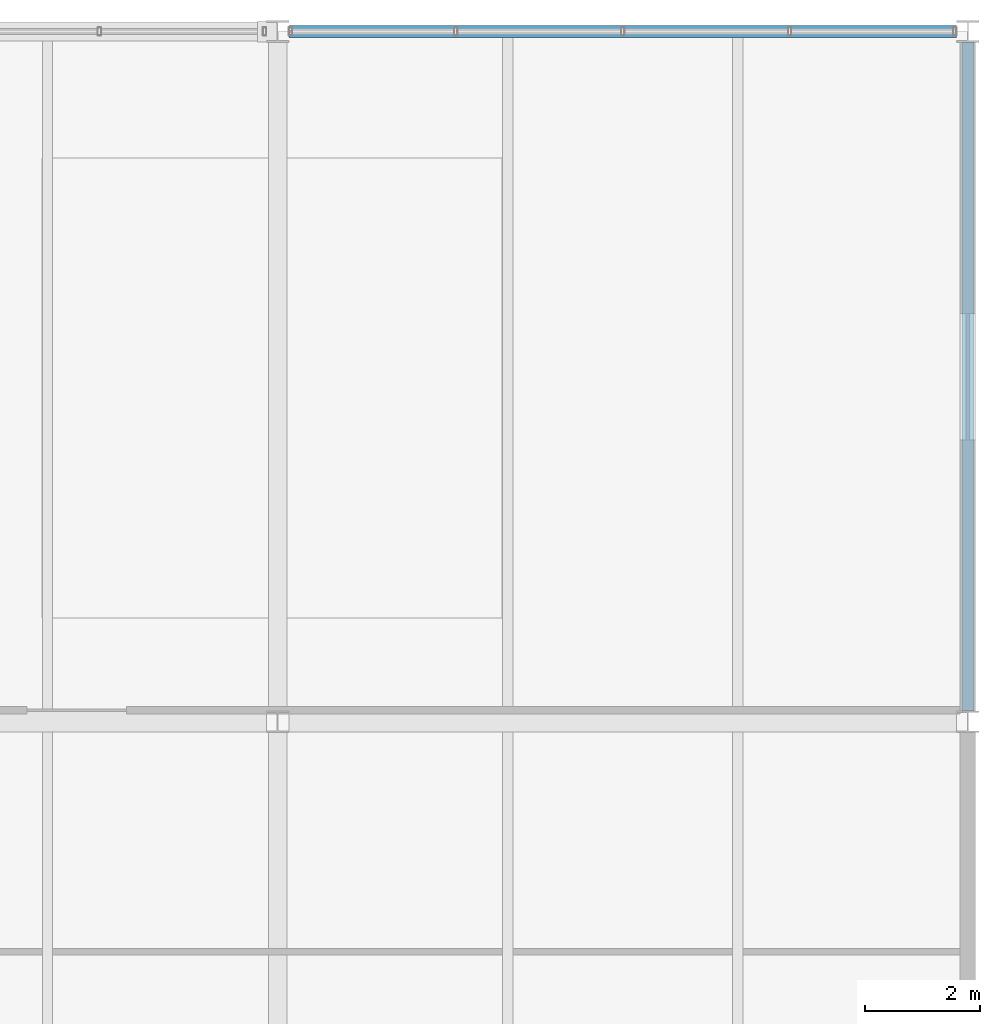
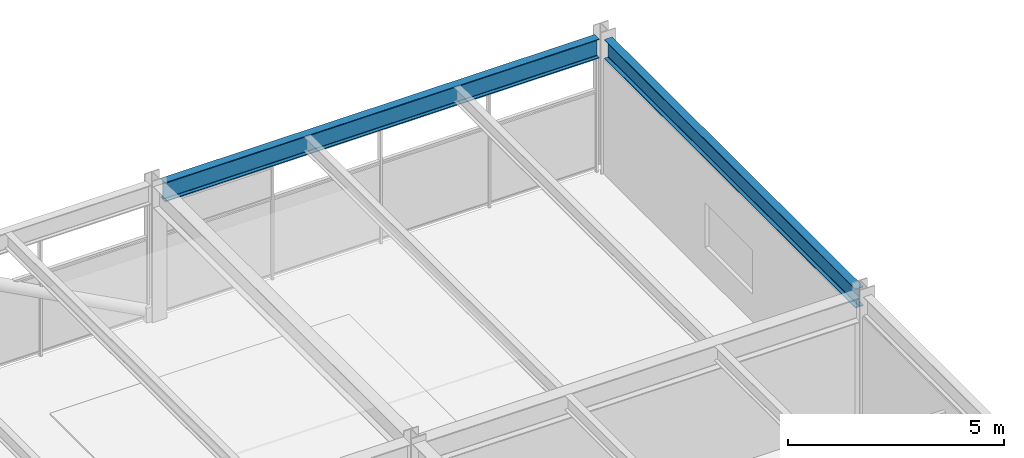
# One storey, part 41 of 52: 2 beams.
"""IFC4 building model written with IfcOpenShell, lengths in metres."""

from ifc_helpers import new_model, si_unit, direction, frame, origin, origin_2d, place, context, subcontext, project, spatial, i_section, extrude, material, material_profile, profile_set, type_object, element, save


model = new_model("IFC4")

# Units and contexts
model_context = context("Model", 3, precision=1e-05, world=origin(), true_north=direction((0.0, 1.0)))
body_context = subcontext(model_context, "Body", "Model", "MODEL_VIEW")
ifc_project = project(units=[si_unit("LENGTHUNIT", "METRE"), si_unit("AREAUNIT", "SQUARE_METRE"), si_unit("VOLUMEUNIT", "CUBIC_METRE"), si_unit("PLANEANGLEUNIT", "RADIAN"), si_unit("MASSUNIT", "GRAM", prefix="KILO")], contexts=[model_context])

# Site, building, storey
site_placement = place(None, origin())
site = spatial("IfcSite", under=ifc_project, at=site_placement, CompositionType="ELEMENT")
building_placement = place(site_placement, origin())
building = spatial("IfcBuilding", under=site, at=building_placement, Name="Girod Span Mobility Hub", CompositionType="ELEMENT")
storey_placement = place(building_placement, frame((0.0, 0.0, 45.60009765625)))
storey = spatial("IfcBuildingStorey", under=building, at=storey_placement, Name="L11", CompositionType="ELEMENT", Elevation=45.60009765625)

# Beams
ifc_material = material(Name="Steel A992 Grade 50", Category="steel")
ifc_material_profile = material_profile(ifc_material, i_section(OverallWidth=0.2119140625, OverallDepth=0.5439453125, WebThickness=0.01318359375, FlangeThickness=0.021240234375, FilletRadius=0.014892578125, at=origin_2d()), Name="W21X83")
ifc_profile_set = profile_set([ifc_material_profile], Name="Steel A992 Grade 50")
beam_type = type_object("IfcBeamType", Name="BM-STL-W21X83", PredefinedType="SPANDREL", material=ifc_profile_set)
beam_1_placement = place(storey_placement, frame((132.194091796875, 69.0, 3.5078125), z_axis=(1.0, 0.0, 0.0), x_axis=(0.0, 1.0, 0.0)))
element("IfcBeam", 1, at=beam_1_placement, inside=storey, type_object=beam_type, Name="Girder 12-13/F L11", PredefinedType="SPANDREL", context=body_context, shape_type="SweptSolid", body=[
    extrude(i_section(OverallWidth=0.2119140625, OverallDepth=0.5439453125, WebThickness=0.01318359375, FlangeThickness=0.021240234375, FilletRadius=0.014892578125, at=origin_2d()), origin(), (0.0, 0.0, 1.0), 11.61181640625),
])
beam_2_placement = place(storey_placement, frame((144.0, 57.1845703125, 3.5078125), z_axis=(0.0, 1.0, 0.0), x_axis=(-1.0, 0.0, 0.0)))
element("IfcBeam", 2, at=beam_2_placement, inside=storey, type_object=beam_type, Name="Tie Girder 13/E-F L11", PredefinedType="SPANDREL", context=body_context, shape_type="SweptSolid", body=[
    extrude(i_section(OverallWidth=0.2119140625, OverallDepth=0.5439453125, WebThickness=0.01318359375, FlangeThickness=0.021240234375, FilletRadius=0.014892578125, at=origin_2d()), origin(), (0.0, 0.0, 1.0), 11.630859375),
])

save(model, "model.ifc")
